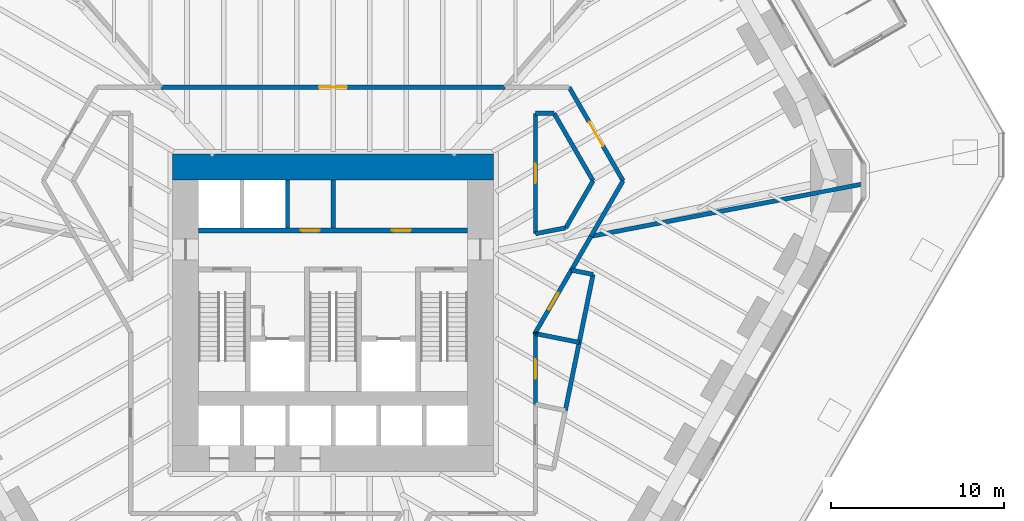
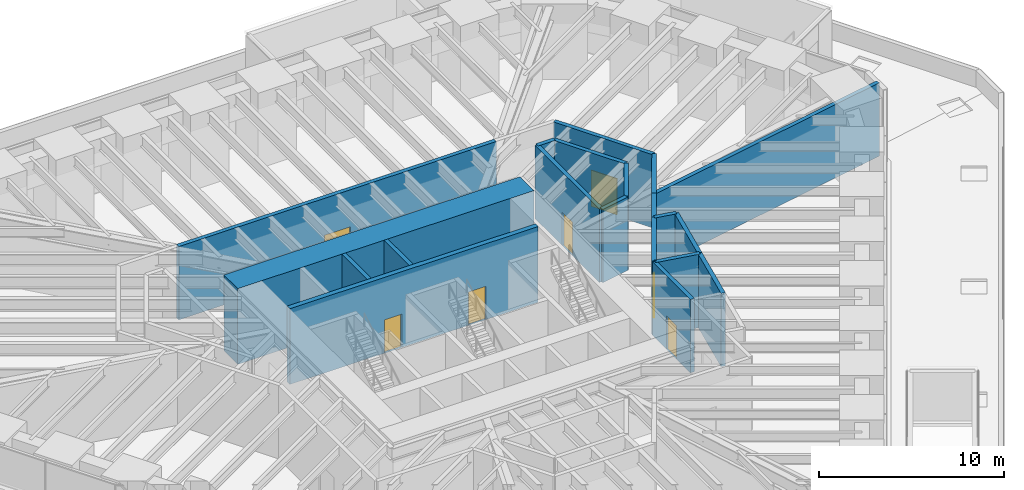
# One storey, part 13 of 20: 21 walls, 7 doors, 7 openings.
"""IFC4 building model written with IfcOpenShell, lengths in metres."""

from ifc_helpers import new_model, si_unit, direction, frame, frame_2d, origin, place, context, subcontext, project, spatial, rectangle, extrude, material, layer, layer_set, type_object, element, fill, save


model = new_model("IFC4")

# Units and contexts
model_context = context("Model", 3, precision=1e-05, world=origin(), true_north=direction((0.0, 1.0)))
body_context = subcontext(model_context, "Body", "Model", "MODEL_VIEW")
ifc_project = project(units=[si_unit("LENGTHUNIT", "METRE"), si_unit("AREAUNIT", "SQUARE_METRE"), si_unit("VOLUMEUNIT", "CUBIC_METRE"), si_unit("PLANEANGLEUNIT", "RADIAN"), si_unit("MASSUNIT", "GRAM", prefix="KILO")], contexts=[model_context])

# Site, building, storey
site_placement = place(None, origin())
site = spatial("IfcSite", under=ifc_project, at=site_placement, CompositionType="ELEMENT")
building_placement = place(site_placement, origin())
building = spatial("IfcBuilding", under=site, at=building_placement, Name="Sandreach Pilgrim Tower", CompositionType="ELEMENT")
storey_placement = place(building_placement, frame((0.0, 0.0, 18.0)))
storey = spatial("IfcBuildingStorey", under=building, at=storey_placement, Name="L03", CompositionType="ELEMENT", Elevation=18.0)

# Wall, openings, doors
ifc_material_1 = material(Name="Concrete 10000 psi", Category="concrete")
ifc_layer_1 = layer(ifc_material_1, 0.300048828125)
ifc_layer_set_1 = layer_set([ifc_layer_1], Name="Core inner wall 300")
wall_type_1 = type_object("IfcWallType", Name="Core inner wall 300", PredefinedType="SHEAR", material=ifc_layer_set_1)
wall_1_placement = place(storey_placement, frame((-7.75, 3.199951171875, 0.0), z_axis=(0.0, 0.0, 1.0), x_axis=(1.0, 0.0, 0.0)))
wall_1 = element("IfcWall", 1, at=wall_1_placement, inside=storey, type_object=wall_type_1, Name="Core wall PN L03", PredefinedType="SHEAR", context=body_context, shape_type="SweptSolid", body=[
    extrude(rectangle(XDim=15.5, YDim=0.300048828125, at=frame_2d((7.75, 0.0))), origin(), (0.0, 0.0, 1.0), 5.0),
])
opening_1_placement = place(wall_1_placement, frame((5.887451171875, 0.0, 0.0)))
opening_1 = element("IfcOpeningElement", 2, at=opening_1_placement, cuts=wall_1, Name="Opening D11L", PredefinedType="OPENING", context=body_context, shape_type="SweptSolid", body=[
    extrude(rectangle(XDim=1.10009765625, YDim=2.199951171875, at=frame_2d((0.550048828125, 1.10009765625))), frame((0.0, 0.14990234375, 0.0), z_axis=(0.0, -1.0, 0.0), x_axis=(1.0, 0.0, 0.0)), (0.0, 0.0, 1.0), 0.300048828125),
])
opening_2_placement = place(wall_1_placement, frame((11.137451171875, 0.0, 0.0)))
opening_2 = element("IfcOpeningElement", 3, at=opening_2_placement, cuts=wall_1, Name="Opening D11L", PredefinedType="OPENING", context=body_context, shape_type="SweptSolid", body=[
    extrude(rectangle(XDim=1.10009765625, YDim=2.199951171875, at=frame_2d((0.550048828125, 1.10009765625))), frame((0.0, 0.14990234375, 0.0), z_axis=(0.0, -1.0, 0.0), x_axis=(1.0, 0.0, 0.0)), (0.0, 0.0, 1.0), 0.300048828125),
])
ifc_material_2 = material(Name="Steel door and frame, smoke seals", Category="steel")
door_type_1 = type_object("IfcDoorType", Name="Core room door", OperationType="SINGLE_SWING_LEFT", PredefinedType="DOOR", material=ifc_material_2)
door_1_placement = place(opening_1_placement, origin())
door_1 = element("IfcDoor", 4, at=door_1_placement, inside=storey, type_object=door_type_1, Name="Door cleaners store 03K1", OperationType="SINGLE_SWING_LEFT", OverallHeight=2.199951171875, OverallWidth=1.10009765625, PredefinedType="DOOR", context=body_context, shape_type="SweptSolid", body=[
    extrude(rectangle(XDim=1.10009765625, YDim=2.199951171875, at=frame_2d((0.550048828125, 1.10009765625))), frame((0.0, 0.02490234375, 0.0), z_axis=(0.0, -1.0, 0.0), x_axis=(1.0, 0.0, 0.0)), (0.0, 0.0, 1.0), 0.050048828125),
])
fill(opening_1, door_1)
door_2_placement = place(opening_2_placement, origin())
door_2 = element("IfcDoor", 5, at=door_2_placement, inside=storey, type_object=door_type_1, Name="Door back of house store 03K2", OperationType="SINGLE_SWING_RIGHT", OverallHeight=2.199951171875, OverallWidth=1.10009765625, PredefinedType="DOOR", context=body_context, shape_type="SweptSolid", body=[
    extrude(rectangle(XDim=1.10009765625, YDim=2.199951171875, at=frame_2d((0.550048828125, 1.10009765625))), frame((0.0, 0.02490234375, 0.0), z_axis=(0.0, -1.0, 0.0), x_axis=(1.0, 0.0, 0.0)), (0.0, 0.0, 1.0), 0.050048828125),
])
fill(opening_2, door_2)

# Wall
ifc_material_3 = material(Name="Concrete 10000 psi", Category="concrete")
ifc_layer_2 = layer(ifc_material_3, 1.5)
ifc_layer_set_2 = layer_set([ifc_layer_2], Name="Core wall 1500")
wall_type_2 = type_object("IfcWallType", Name="Core wall 1500", PredefinedType="SHEAR", material=ifc_layer_set_2)
wall_2_placement = place(storey_placement, frame((-9.25, 6.85009765625, 0.0), z_axis=(0.0, 0.0, 1.0), x_axis=(1.0, 0.0, 0.0)))
element("IfcWall", 6, at=wall_2_placement, inside=storey, type_object=wall_type_2, Name="Core wall N L03", PredefinedType="SHEAR", context=body_context, shape_type="SweptSolid", body=[
    extrude(rectangle(XDim=18.5, YDim=1.5, at=frame_2d((9.25, 0.0))), origin(), (0.0, 0.0, 1.0), 5.0),
])

# Wall, opening, door
ifc_material_4 = material(Name="Acoustic gypsum board wall, double frame", Category="gypsum")
ifc_layer_3 = layer(ifc_material_4, 0.25)
ifc_layer_set_3 = layer_set([ifc_layer_3], Name="Hall partition 250")
wall_type_3 = type_object("IfcWallType", Name="Hall partition 250", PredefinedType="PARTITIONING", material=ifc_layer_set_3)
wall_3_placement = place(storey_placement, frame((9.909912109375, 11.449951171875, 0.0), z_axis=(0.0, 0.0, 1.0), x_axis=(-1.0, 0.0, 0.0)))
wall_3 = element("IfcWall", 7, at=wall_3_placement, inside=storey, type_object=wall_type_3, Name="Hall partition L03-025", PredefinedType="PARTITIONING", context=body_context, shape_type="SweptSolid", body=[
    extrude(rectangle(XDim=19.81982421875, YDim=0.25, at=frame_2d((9.909912109375, 0.0))), origin(), (0.0, 0.0, 1.0), 4.840087890625),
])
opening_3_placement = place(wall_3_placement, frame((9.110107421875, 0.0, 0.0)))
opening_3 = element("IfcOpeningElement", 8, at=opening_3_placement, cuts=wall_3, Name="Opening D16-01", PredefinedType="OPENING", context=body_context, shape_type="SweptSolid", body=[
    extrude(rectangle(XDim=1.60009765625, YDim=2.39990234375, at=frame_2d((0.800048828125, 1.199951171875))), frame((0.0, 0.125, 0.0), z_axis=(0.0, -1.0, 0.0), x_axis=(1.0, 0.0, 0.0)), (0.0, 0.0, 1.0), 0.25),
])
ifc_material_5 = material(Name="Steel door and frame", Category="steel")
door_type_2 = type_object("IfcDoorType", Name="Hall double door", OperationType="DOUBLE_DOOR_SINGLE_SWING", PredefinedType="DOOR", material=ifc_material_5)
door_3_placement = place(opening_3_placement, origin())
door_3 = element("IfcDoor", 9, at=door_3_placement, inside=storey, type_object=door_type_2, Name="Door 0301", OperationType="DOUBLE_DOOR_SINGLE_SWING", OverallHeight=2.39990234375, OverallWidth=1.60009765625, PredefinedType="DOOR", context=body_context, shape_type="SweptSolid", body=[
    extrude(rectangle(XDim=1.60009765625, YDim=2.39990234375, at=frame_2d((0.800048828125, 1.199951171875))), frame((0.0, 0.02490234375, 0.0), z_axis=(0.0, -1.0, 0.0), x_axis=(1.0, 0.0, 0.0)), (0.0, 0.0, 1.0), 0.050048828125),
])
fill(opening_3, door_3)

wall_4_placement = place(storey_placement, frame((11.669921875, -6.830078125, 0.0), z_axis=(0.0, 0.0, 1.0), x_axis=(0.0, 1.0, 0.0)))
wall_4 = element("IfcWall", 10, at=wall_4_placement, inside=storey, type_object=wall_type_3, Name="Hall partition L03-030", PredefinedType="PARTITIONING", context=body_context, shape_type="SweptSolid", body=[
    extrude(rectangle(XDim=4.080078125, YDim=0.25, at=frame_2d((2.0400390625, 0.0))), origin(), (0.0, 0.0, 1.0), 4.840087890625),
])
opening_4_placement = place(wall_4_placement, frame((1.489990234375, 0.0, 0.0)))
opening_4 = element("IfcOpeningElement", 11, at=opening_4_placement, cuts=wall_4, Name="Opening D11H-T2", PredefinedType="OPENING", context=body_context, shape_type="SweptSolid", body=[
    extrude(rectangle(XDim=1.10009765625, YDim=2.199951171875, at=frame_2d((0.550048828125, 1.10009765625))), frame((0.0, 0.125, 0.0), z_axis=(0.0, -1.0, 0.0), x_axis=(1.0, 0.0, 0.0)), (0.0, 0.0, 1.0), 0.25),
])
ifc_material_6 = material(Name="Steel door and frame", Category="steel")
door_type_3 = type_object("IfcDoorType", Name="Back of house door", OperationType="SINGLE_SWING_LEFT", PredefinedType="DOOR", material=ifc_material_6)
door_4_placement = place(opening_4_placement, origin())
door_4 = element("IfcDoor", 12, at=door_4_placement, inside=storey, type_object=door_type_3, Name="Door 03T2", OperationType="SINGLE_SWING_LEFT", OverallHeight=2.199951171875, OverallWidth=1.10009765625, PredefinedType="DOOR", context=body_context, shape_type="SweptSolid", body=[
    extrude(rectangle(XDim=1.10009765625, YDim=2.199951171875, at=frame_2d((0.550048828125, 1.10009765625))), frame((0.0, 0.02490234375, 0.0), z_axis=(0.0, -1.0, 0.0), x_axis=(1.0, 0.0, 0.0)), (0.0, 0.0, 1.0), 0.050048828125),
])
fill(opening_4, door_4)

# Walls
wall_5_placement = place(storey_placement, frame((11.669921875, -2.75, 0.0), z_axis=(0.0, 0.0, 1.0), x_axis=(0.0, 1.0, 0.0)))
element("IfcWall", 13, at=wall_5_placement, inside=storey, type_object=wall_type_3, Name="Hall partition L03-032", PredefinedType="PARTITIONING", context=body_context, shape_type="SweptSolid", body=[
    extrude(rectangle(XDim=0.070068359375, YDim=0.25, at=frame_2d((0.03515625, 0.0))), origin(), (0.0, 0.0, 1.0), 4.840087890625),
])
wall_6_placement = place(storey_placement, frame((11.669921875, -2.75, 0.0), z_axis=(0.0, 0.0, 1.0), x_axis=(0.980128891602, -0.19836167938, 0.0)))
element("IfcWall", 14, at=wall_6_placement, inside=storey, type_object=wall_type_3, Name="Hall partition L03-033", PredefinedType="PARTITIONING", context=body_context, shape_type="SweptSolid", body=[
    extrude(rectangle(XDim=2.571044921875, YDim=0.25, at=frame_2d((1.28564453125, 0.0))), origin(), (0.0, 0.0, 1.0), 4.840087890625),
])

# Wall, opening, door
wall_7_placement = place(storey_placement, frame((11.669921875, 3.010009765625, 0.0), z_axis=(0.0, 0.0, 1.0), x_axis=(0.0, 1.0, 0.0)))
wall_7 = element("IfcWall", 15, at=wall_7_placement, inside=storey, type_object=wall_type_3, Name="Hall partition L03-034", PredefinedType="PARTITIONING", context=body_context, shape_type="SweptSolid", body=[
    extrude(rectangle(XDim=6.93994140625, YDim=0.25, at=frame_2d((3.469970703125, 0.0))), origin(), (0.0, 0.0, 1.0), 4.840087890625),
])
opening_5_placement = place(wall_7_placement, frame((2.919921875, 0.0, 0.0)))
opening_5 = element("IfcOpeningElement", 16, at=opening_5_placement, cuts=wall_7, Name="Opening D11H-B1", PredefinedType="OPENING", context=body_context, shape_type="SweptSolid", body=[
    extrude(rectangle(XDim=1.10009765625, YDim=2.199951171875, at=frame_2d((0.550048828125, 1.10009765625))), frame((0.0, 0.125, 0.0), z_axis=(0.0, -1.0, 0.0), x_axis=(1.0, 0.0, 0.0)), (0.0, 0.0, 1.0), 0.25),
])
door_5_placement = place(opening_5_placement, origin())
door_5 = element("IfcDoor", 17, at=door_5_placement, inside=storey, type_object=door_type_3, Name="Door 03B1", OperationType="SINGLE_SWING_LEFT", OverallHeight=2.199951171875, OverallWidth=1.10009765625, PredefinedType="DOOR", context=body_context, shape_type="SweptSolid", body=[
    extrude(rectangle(XDim=1.10009765625, YDim=2.199951171875, at=frame_2d((0.550048828125, 1.10009765625))), frame((0.0, 0.02490234375, 0.0), z_axis=(0.0, -1.0, 0.0), x_axis=(1.0, 0.0, 0.0)), (0.0, 0.0, 1.0), 0.050048828125),
])
fill(opening_5, door_5)

# Walls
wall_8_placement = place(storey_placement, frame((11.669921875, 9.949951171875, 0.0), z_axis=(0.0, 0.0, 1.0), x_axis=(1.0, 0.0, 0.0)))
element("IfcWall", 18, at=wall_8_placement, inside=storey, type_object=wall_type_3, Name="Hall partition L03-035", PredefinedType="PARTITIONING", context=body_context, shape_type="SweptSolid", body=[
    extrude(rectangle(XDim=1.070068359375, YDim=0.25, at=frame_2d((0.53515625, 0.0))), origin(), (0.0, 0.0, 1.0), 4.840087890625),
])
wall_9_placement = place(storey_placement, frame((12.739990234375, 9.949951171875, 0.0), z_axis=(0.0, 0.0, 1.0), x_axis=(0.50069571766, -0.865623358232, 0.0)))
element("IfcWall", 19, at=wall_9_placement, inside=storey, type_object=wall_type_3, Name="Hall partition L03-037", PredefinedType="PARTITIONING", context=body_context, shape_type="SweptSolid", body=[
    extrude(rectangle(XDim=4.49365234375, YDim=0.25, at=frame_2d((2.246826171875, 0.0))), origin(), (0.0, 0.0, 1.0), 4.840087890625),
])
wall_10_placement = place(storey_placement, frame((13.389892578125, -7.179931640625, 0.0), z_axis=(0.0, 0.0, 1.0), x_axis=(0.199975554662, 0.979800886679, 0.0)))
element("IfcWall", 20, at=wall_10_placement, inside=storey, type_object=wall_type_3, Name="Hall partition L03-038", PredefinedType="PARTITIONING", context=body_context, shape_type="SweptSolid", body=[
    extrude(rectangle(XDim=4.000732421875, YDim=0.25, at=frame_2d((2.00048828125, 0.0))), origin(), (0.0, 0.0, 1.0), 4.840087890625),
])
wall_11_placement = place(storey_placement, frame((13.419921875, 3.35009765625, 0.0), z_axis=(0.0, 0.0, 1.0), x_axis=(-0.981635340877, -0.190767024252, 0.0)))
element("IfcWall", 21, at=wall_11_placement, inside=storey, type_object=wall_type_3, Name="Hall partition L03-039", PredefinedType="PARTITIONING", context=body_context, shape_type="SweptSolid", body=[
    extrude(rectangle(XDim=1.78271484375, YDim=0.25, at=frame_2d((0.891357421875, 0.0))), origin(), (0.0, 0.0, 1.0), 4.840087890625),
])

# Wall, opening, door
wall_12_placement = place(storey_placement, frame((13.745361328125, 0.912841796875, 0.0), z_axis=(0.0, 0.0, 1.0), x_axis=(-0.50020799343, -0.865905285415, 0.0)))
wall_12 = element("IfcWall", 22, at=wall_12_placement, inside=storey, type_object=wall_type_3, Name="Hall partition L03-041", PredefinedType="PARTITIONING", context=body_context, shape_type="SweptSolid", body=[
    extrude(rectangle(XDim=4.149169921875, YDim=0.25, at=frame_2d((2.07470703125, 0.0))), origin(), (0.0, 0.0, 1.0), 4.840087890625),
])
opening_6_placement = place(wall_12_placement, frame((1.524658203125, 0.0, 0.0)))
opening_6 = element("IfcOpeningElement", 23, at=opening_6_placement, cuts=wall_12, Name="Opening D11H-T3", PredefinedType="OPENING", context=body_context, shape_type="SweptSolid", body=[
    extrude(rectangle(XDim=1.10009765625, YDim=2.199951171875, at=frame_2d((0.550048828125, 1.10009765625))), frame((0.0, 0.125, 0.0), z_axis=(0.0, -1.0, 0.0), x_axis=(1.0, 0.0, 0.0)), (0.0, 0.0, 1.0), 0.25),
])
door_6_placement = place(opening_6_placement, origin())
door_6 = element("IfcDoor", 24, at=door_6_placement, inside=storey, type_object=door_type_3, Name="Door 03T3", OperationType="SINGLE_SWING_LEFT", OverallHeight=2.199951171875, OverallWidth=1.10009765625, PredefinedType="DOOR", context=body_context, shape_type="SweptSolid", body=[
    extrude(rectangle(XDim=1.10009765625, YDim=2.199951171875, at=frame_2d((0.550048828125, 1.10009765625))), frame((0.0, 0.02490234375, 0.0), z_axis=(0.0, -1.0, 0.0), x_axis=(1.0, 0.0, 0.0)), (0.0, 0.0, 1.0), 0.050048828125),
])
fill(opening_6, door_6)

# Walls
wall_13_placement = place(storey_placement, frame((13.7451171875, 0.912841796875, 0.0), z_axis=(0.0, 0.0, 1.0), x_axis=(0.500248658738, 0.865881792989, 0.0)))
element("IfcWall", 25, at=wall_13_placement, inside=storey, type_object=wall_type_3, Name="Hall partition L03-042", PredefinedType="PARTITIONING", context=body_context, shape_type="SweptSolid", body=[
    extrude(rectangle(XDim=2.248779296875, YDim=0.25, at=frame_2d((1.12451171875, 0.0))), origin(), (0.0, 0.0, 1.0), 4.840087890625),
])
wall_14_placement = place(storey_placement, frame((14.18994140625, -3.260009765625, 0.0), z_axis=(0.0, 0.0, 1.0), x_axis=(0.199975554662, 0.979800886679, 0.0)))
element("IfcWall", 26, at=wall_14_placement, inside=storey, type_object=wall_type_3, Name="Hall partition L03-043", PredefinedType="PARTITIONING", context=body_context, shape_type="SweptSolid", body=[
    extrude(rectangle(XDim=4.000732421875, YDim=0.25, at=frame_2d((2.00048828125, 0.0))), origin(), (0.0, 0.0, 1.0), 4.840087890625),
])
wall_15_placement = place(storey_placement, frame((14.869873046875, 2.85986328125, 0.0), z_axis=(0.0, 0.0, 1.0), x_axis=(0.500499855385, 0.86573661974, 0.0)))
element("IfcWall", 27, at=wall_15_placement, inside=storey, type_object=wall_type_3, Name="Hall partition L03-044", PredefinedType="PARTITIONING", context=body_context, shape_type="SweptSolid", body=[
    extrude(rectangle(XDim=3.696533203125, YDim=0.25, at=frame_2d((1.84814453125, 0.0))), origin(), (0.0, 0.0, 1.0), 4.840087890625),
])
wall_16_placement = place(storey_placement, frame((14.989990234375, 0.659912109375, 0.0), z_axis=(0.0, 0.0, 1.0), x_axis=(-0.98027513997, 0.197637673426, 0.0)))
element("IfcWall", 28, at=wall_16_placement, inside=storey, type_object=wall_type_3, Name="Hall partition L03-045", PredefinedType="PARTITIONING", context=body_context, shape_type="SweptSolid", body=[
    extrude(rectangle(XDim=1.264892578125, YDim=0.25, at=frame_2d((0.63232421875, 0.0))), origin(), (0.0, 0.0, 1.0), 4.840087890625),
])
wall_17_placement = place(storey_placement, frame((14.989990234375, 6.06005859375, 0.0), z_axis=(0.0, 0.0, 1.0), x_axis=(-0.501309724655, -0.865267912248, 0.0)))
element("IfcWall", 29, at=wall_17_placement, inside=storey, type_object=wall_type_3, Name="Hall partition L03-046", PredefinedType="PARTITIONING", context=body_context, shape_type="SweptSolid", body=[
    extrude(rectangle(XDim=3.1318359375, YDim=0.25, at=frame_2d((1.56591796875, 0.0))), origin(), (0.0, 0.0, 1.0), 4.840087890625),
])

# Wall, opening, door
wall_18_placement = place(storey_placement, frame((16.719970703125, 6.06005859375, 0.0), z_axis=(0.0, 0.0, 1.0), x_axis=(-0.499759814377, 0.866164030617, 0.0)))
wall_18 = element("IfcWall", 30, at=wall_18_placement, inside=storey, type_object=wall_type_3, Name="Hall partition L03-047", PredefinedType="PARTITIONING", context=body_context, shape_type="SweptSolid", body=[
    extrude(rectangle(XDim=6.22265625, YDim=0.25, at=frame_2d((3.111328125, 0.0))), origin(), (0.0, 0.0, 1.0), 4.840087890625),
])
opening_7_placement = place(wall_18_placement, frame((2.3115234375, 0.0, 0.0)))
opening_7 = element("IfcOpeningElement", 31, at=opening_7_placement, cuts=wall_18, Name="Opening D16-02", PredefinedType="OPENING", context=body_context, shape_type="SweptSolid", body=[
    extrude(rectangle(XDim=1.60009765625, YDim=2.39990234375, at=frame_2d((0.800048828125, 1.199951171875))), frame((0.0, 0.125, 0.0), z_axis=(0.0, -1.0, 0.0), x_axis=(1.0, 0.0, 0.0)), (0.0, 0.0, 1.0), 0.25),
])
door_7_placement = place(opening_7_placement, origin())
door_7 = element("IfcDoor", 32, at=door_7_placement, inside=storey, type_object=door_type_2, Name="Door 0302", OperationType="DOUBLE_DOOR_SINGLE_SWING", OverallHeight=2.39990234375, OverallWidth=1.60009765625, PredefinedType="DOOR", context=body_context, shape_type="SweptSolid", body=[
    extrude(rectangle(XDim=1.60009765625, YDim=2.39990234375, at=frame_2d((0.800048828125, 1.199951171875))), frame((0.0, 0.02490234375, 0.0), z_axis=(0.0, -1.0, 0.0), x_axis=(1.0, 0.0, 0.0)), (0.0, 0.0, 1.0), 0.050048828125),
])
fill(opening_7, door_7)

# Walls
wall_19_placement = place(storey_placement, frame((30.590576171875, 5.88427734375, 0.0), z_axis=(0.0, 0.0, 1.0), x_axis=(-0.981994806005, -0.188907916665, 0.0)))
element("IfcWall", 33, at=wall_19_placement, inside=storey, type_object=wall_type_3, Name="Hall partition L03-049", PredefinedType="PARTITIONING", context=body_context, shape_type="SweptSolid", body=[
    extrude(rectangle(XDim=16.0087890625, YDim=0.25, at=frame_2d((8.00439453125, 0.0))), origin(), (0.0, 0.0, 1.0), 4.840087890625),
])
ifc_material_7 = material(Name="Gypsum shaft wall on steel studs, two layers of shaft liner board", Category="steel")
ifc_layer_4 = layer(ifc_material_7, 0.25)
ifc_layer_set_4 = layer_set([ifc_layer_4], Name="Shaft partition 250")
wall_type_4 = type_object("IfcWallType", Name="Shaft partition 250", PredefinedType="PARTITIONING", material=ifc_layer_set_4)
for number, where, z_axis, x_axis, name in (
    (34, (-2.625, 3.35009765625, 0.0), (0.0, 0.0, 1.0), (0.0, 1.0, 0.0), "Shaft partition NS1 L03"),
    (35, (0.0, 3.35009765625, 0.0), (0.0, 0.0, 1.0), (0.0, 1.0, 0.0), "Shaft partition NS2 L03"),
):
    element("IfcWall", number, at=place(storey_placement, frame(where, z_axis=z_axis, x_axis=x_axis)), inside=storey, type_object=wall_type_4, Name=name, PredefinedType="PARTITIONING", context=body_context, shape_type="SweptSolid", body=[
        extrude(rectangle(XDim=2.75, YDim=0.25, at=frame_2d((1.375, 0.0))), origin(), (0.0, 0.0, 1.0), 5.0),
    ])

save(model, "model.ifc")
